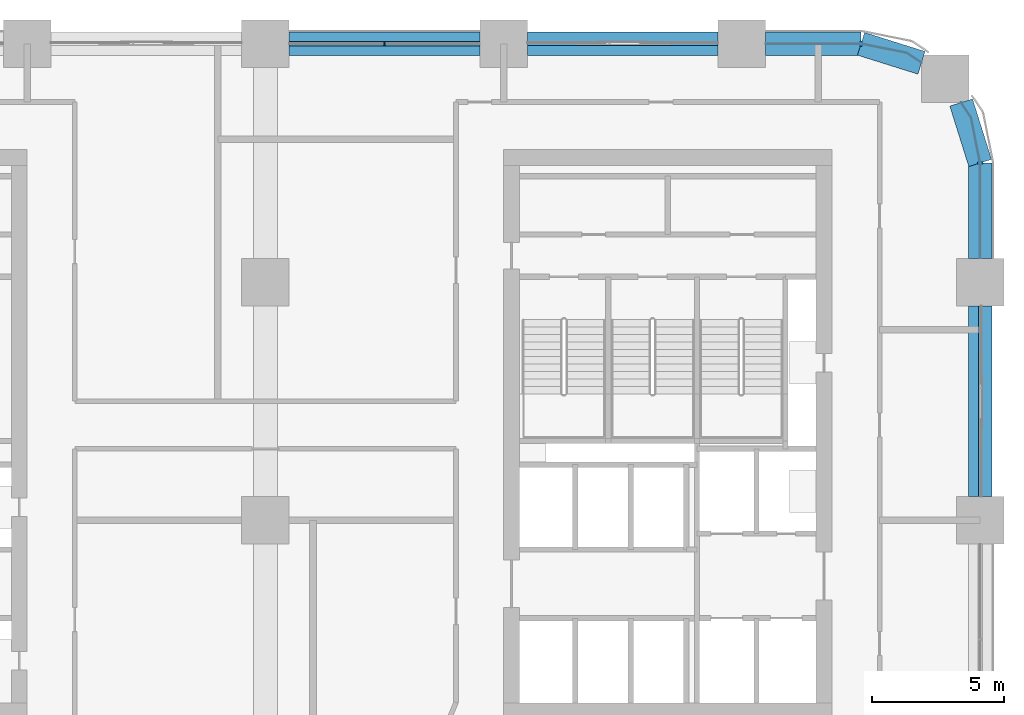
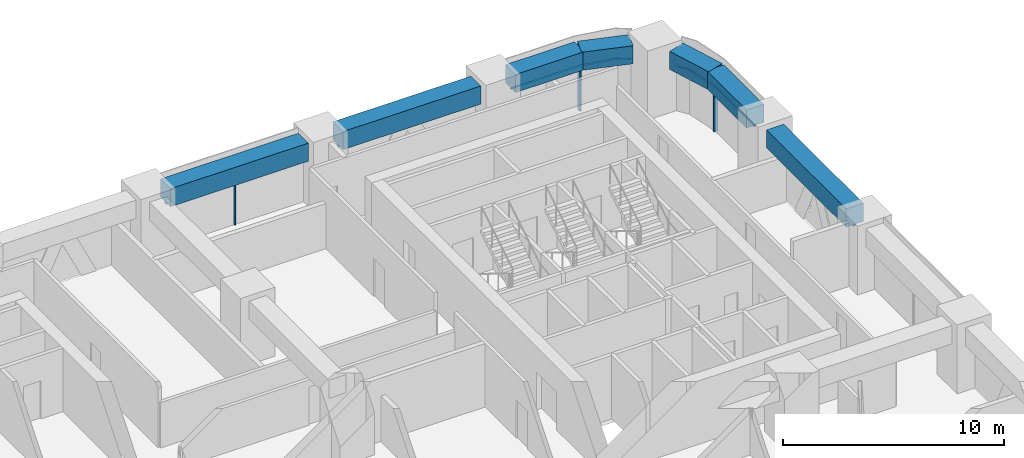
# One storey, part 9 of 24: 8 members, 7 beams, 5 elements without a shape of their own.
"""IFC4 building model written with IfcOpenShell, lengths in metres."""

from ifc_helpers import new_model, si_unit, direction, frame, origin, origin_2d, place, context, subcontext, project, spatial, polyline, rectangle, outline, extrude, material, material_profile, profile_set, type_object, element, aggregate, save


model = new_model("IFC4")

# Units and contexts
model_context = context("Model", 3, precision=1e-05, world=origin(), true_north=direction((0.0, 1.0)))
body_context = subcontext(model_context, "Body", "Model", "MODEL_VIEW")
ifc_project = project(units=[si_unit("LENGTHUNIT", "METRE"), si_unit("AREAUNIT", "SQUARE_METRE"), si_unit("VOLUMEUNIT", "CUBIC_METRE"), si_unit("PLANEANGLEUNIT", "RADIAN"), si_unit("MASSUNIT", "GRAM", prefix="KILO")], contexts=[model_context])

# Site, building, storey
site_placement = place(None, origin())
site = spatial("IfcSite", under=ifc_project, at=site_placement, CompositionType="ELEMENT")
building_placement = place(site_placement, origin())
building = spatial("IfcBuilding", under=site, at=building_placement, Name="Tessera Arch", CompositionType="ELEMENT")
storey_placement = place(building_placement, frame((0.0, 0.0, 112.0)))
storey = spatial("IfcBuildingStorey", under=building, at=storey_placement, Name="L26", CompositionType="ELEMENT", Elevation=112.0)

# Curtain wall, members
ifc_material_1 = material(Name="CW1 curtain wall")
curtain_wall_type_1 = type_object("IfcCurtainWallType", Name="CW1 curtain wall", PredefinedType="NOTDEFINED", material=ifc_material_1)
curtain_wall_1_placement = place(storey_placement, origin())
curtain_wall_1 = element("IfcCurtainWall", 1, at=curtain_wall_1_placement, inside=storey, type_object=curtain_wall_type_1, Name="CW1 curtain wall N54.0/1 L26", PredefinedType="NOTDEFINED")
ifc_material_2 = material(Name="Anodised aluminium pale metal", Category="aluminium")
ifc_material_profile_1 = material_profile(ifc_material_2, rectangle(XDim=0.159912109375, YDim=0.06005859375, at=origin_2d()), Name="AL 60x160")
ifc_profile_set_1 = profile_set([ifc_material_profile_1], Name="Anodised aluminium pale metal")
member_type_1 = type_object("IfcMemberType", Name="CW1 mullion", PredefinedType="MULLION", material=ifc_profile_set_1)
member_1_placement = place(storey_placement, frame((31.5, 54.0, 0.0), z_axis=(0.0, 0.0, 1.0), x_axis=(0.0, -1.0, 0.0)))
member_1 = element("IfcMember", 2, at=member_1_placement, type_object=member_type_1, Name="CW1 mullion N54.0/1 1", PredefinedType="MULLION", context=body_context, shape_type="SweptSolid", body=[
    extrude(rectangle(XDim=0.159912109375, YDim=0.06005859375, at=origin_2d()), origin(), (0.0, 0.0, 1.0), 2.39990234375),
])
ifc_material_3 = material(Name="Anodised aluminium pale metal", Category="aluminium")
ifc_material_profile_2 = material_profile(ifc_material_3, rectangle(XDim=0.159912109375, YDim=0.10009765625, at=origin_2d()), Name="AL 160x100")
ifc_profile_set_2 = profile_set([ifc_material_profile_2], Name="Anodised aluminium pale metal")
member_type_2 = type_object("IfcMemberType", Name="CW1 transom", PredefinedType="USERDEFINED", material=ifc_profile_set_2)
member_2_placement = place(storey_placement, frame((35.10009765625, 54.0, 2.449951171875), z_axis=(-1.0, 0.0, 0.0), x_axis=(0.0, -1.0, 0.0)))
member_2 = element("IfcMember", 3, at=member_2_placement, type_object=member_type_2, Name="CW1 transom N54.0/1 1.1", ObjectType="TRANSOM", PredefinedType="USERDEFINED", context=body_context, shape_type="SweptSolid", body=[
    extrude(rectangle(XDim=0.159912109375, YDim=0.10009765625, at=origin_2d()), origin(), (0.0, 0.0, 1.0), 7.2001953125),
])
aggregate(curtain_wall_1, [member_1, member_2])

# Curtain wall, member
ifc_material_4 = material(Name="CW2 curtain wall")
curtain_wall_type_2 = type_object("IfcCurtainWallType", Name="CW2 curtain wall", PredefinedType="NOTDEFINED", material=ifc_material_4)
curtain_wall_2_placement = place(storey_placement, origin())
curtain_wall_2 = element("IfcCurtainWall", 4, at=curtain_wall_2_placement, inside=storey, type_object=curtain_wall_type_2, Name="CW2 curtain wall E54.0/5 L26", PredefinedType="NOTDEFINED")
ifc_material_5 = material(Name="Anodised aluminium pale metal", Category="aluminium")
ifc_material_profile_3 = material_profile(ifc_material_5, rectangle(XDim=0.199951171875, YDim=0.080078125, at=origin_2d()), Name="AL 80x200")
ifc_profile_set_3 = profile_set([ifc_material_profile_3], Name="Anodised aluminium pale metal")
member_type_3 = type_object("IfcMemberType", Name="CW2 mullion", PredefinedType="MULLION", material=ifc_profile_set_3)
member_3_placement = place(storey_placement, frame((54.0, 49.5, 0.0), z_axis=(0.0, 0.0, 1.0), x_axis=(-1.0, 0.0, 0.0)))
member_3 = element("IfcMember", 5, at=member_3_placement, type_object=member_type_3, Name="CW2 mullion E54.0/5 1", PredefinedType="MULLION", context=body_context, shape_type="SweptSolid", body=[
    extrude(rectangle(XDim=0.199951171875, YDim=0.080078125, at=origin_2d()), origin(), (0.0, 0.0, 1.0), 2.39990234375),
])

curtain_wall_3_placement = place(storey_placement, origin())
curtain_wall_3 = element("IfcCurtainWall", 6, at=curtain_wall_3_placement, inside=storey, type_object=curtain_wall_type_2, Name="CW2 curtain wall N54.0/5 L26", PredefinedType="NOTDEFINED")
member_4_placement = place(storey_placement, frame((49.5, 54.0, 0.0), z_axis=(0.0, 0.0, 1.0), x_axis=(0.0, -1.0, 0.0)))
member_4 = element("IfcMember", 7, at=member_4_placement, type_object=member_type_3, Name="CW2 mullion N54.0/5 1", PredefinedType="MULLION", context=body_context, shape_type="SweptSolid", body=[
    extrude(rectangle(XDim=0.199951171875, YDim=0.080078125, at=origin_2d()), origin(), (0.0, 0.0, 1.0), 2.39990234375),
])

# Member
ifc_material_6 = material(Name="Anodised aluminium pale metal", Category="aluminium")
ifc_material_profile_4 = material_profile(ifc_material_6, rectangle(XDim=0.199951171875, YDim=0.10009765625, at=origin_2d()), Name="AL 200x100")
ifc_profile_set_4 = profile_set([ifc_material_profile_4], Name="Anodised aluminium pale metal")
member_type_4 = type_object("IfcMemberType", Name="CW2 transom", PredefinedType="USERDEFINED", material=ifc_profile_set_4)
member_5_placement = place(storey_placement, frame((0.0, 0.0, 2.39990234375)))
member_5 = element("IfcMember", 8, at=member_5_placement, type_object=member_type_4, Name="CW2 transom E54.0/5 1", ObjectType="TRANSOM", PredefinedType="USERDEFINED", context=body_context, shape_type="SweptSolid", body=[
    extrude(outline(polyline([(53.989990234375, 49.4990234375), (53.989990234375, 45.89990234375), (54.010009765625, 45.89990234375), (54.010009765625, 49.5009765625), (53.6669921875, 51.22607421875), (53.29150390625, 51.78759765625), (53.27490234375, 51.7763671875), (53.648193359375, 51.21826171875), (53.989990234375, 49.4990234375)])), origin(), (0.0, 0.0, 1.0), 0.10009765625),
])

aggregate(curtain_wall_2, [member_3, member_5])

member_6_placement = place(storey_placement, frame((0.0, 0.0, 2.39990234375)))
member_6 = element("IfcMember", 9, at=member_6_placement, type_object=member_type_4, Name="CW2 transom N54.0/5 1", ObjectType="TRANSOM", PredefinedType="USERDEFINED", context=body_context, shape_type="SweptSolid", body=[
    extrude(outline(polyline([(51.21826171875, 53.648193359375), (51.7763671875, 53.27490234375), (51.78759765625, 53.29150390625), (51.22607421875, 53.6669921875), (49.5009765625, 54.010009765625), (45.89990234375, 54.010009765625), (45.89990234375, 53.989990234375), (49.4990234375, 53.989990234375), (51.21826171875, 53.648193359375)])), origin(), (0.0, 0.0, 1.0), 0.10009765625),
])

aggregate(curtain_wall_3, [member_4, member_6])

# Curtain wall, member
ifc_material_7 = material(Name="CW3 curtain wall")
curtain_wall_type_3 = type_object("IfcCurtainWallType", Name="CW3 curtain wall", PredefinedType="NOTDEFINED", material=ifc_material_7)
curtain_wall_4_placement = place(storey_placement, origin())
curtain_wall_4 = element("IfcCurtainWall", 10, at=curtain_wall_4_placement, inside=storey, type_object=curtain_wall_type_3, Name="CW3 curtain wall N54.0/0 L26", PredefinedType="NOTDEFINED")
ifc_material_8 = material(Name="Anodised aluminium pale metal", Category="aluminium")
ifc_material_profile_5 = material_profile(ifc_material_8, rectangle(XDim=0.139892578125, YDim=0.10009765625, at=origin_2d()), Name="AL 140x100")
ifc_profile_set_5 = profile_set([ifc_material_profile_5], Name="Anodised aluminium pale metal")
member_type_5 = type_object("IfcMemberType", Name="CW3 transom", PredefinedType="USERDEFINED", material=ifc_profile_set_5)
member_7_placement = place(storey_placement, frame((44.10009765625, 54.0, 2.449951171875), z_axis=(-1.0, 0.0, 0.0), x_axis=(0.0, -1.0, 0.0)))
member_7 = element("IfcMember", 11, at=member_7_placement, type_object=member_type_5, Name="CW3 transom N54.0/0 1.1", ObjectType="TRANSOM", PredefinedType="USERDEFINED", context=body_context, shape_type="SweptSolid", body=[
    extrude(rectangle(XDim=0.139892578125, YDim=0.10009765625, at=origin_2d()), origin(), (0.0, 0.0, 1.0), 7.2001953125),
])
aggregate(curtain_wall_4, [member_7])

curtain_wall_5_placement = place(storey_placement, origin())
curtain_wall_5 = element("IfcCurtainWall", 12, at=curtain_wall_5_placement, inside=storey, type_object=curtain_wall_type_3, Name="CW3 curtain wall E54.0/4 L26", PredefinedType="NOTDEFINED")
member_8_placement = place(storey_placement, frame((54.0, 36.89990234375, 2.449951171875), z_axis=(0.0, 1.0, 0.0), x_axis=(-1.0, 0.0, 0.0)))
member_8 = element("IfcMember", 13, at=member_8_placement, type_object=member_type_5, Name="CW3 transom E54.0/4 1.1", ObjectType="TRANSOM", PredefinedType="USERDEFINED", context=body_context, shape_type="SweptSolid", body=[
    extrude(rectangle(XDim=0.139892578125, YDim=0.10009765625, at=origin_2d()), origin(), (0.0, 0.0, 1.0), 7.2001953125),
])
aggregate(curtain_wall_5, [member_8])

# Beams
ifc_material_9 = material(Name="Concrete C80/95", Category="concrete")
ifc_material_profile_6 = material_profile(ifc_material_9, rectangle(XDim=0.89990234375, YDim=1.0, at=origin_2d()), Name="RC spandrel beam 900 x 1000 Concrete C80/95")
ifc_profile_set_6 = profile_set([ifc_material_profile_6], Name="Concrete C80/95")
beam_type = type_object("IfcBeamType", Name="RC spandrel beam 900 x 1000 Concrete C80/95", PredefinedType="BEAM", material=ifc_profile_set_6)
for number, where, z_axis, x_axis, name in (
    (14, (44.10009765625, 54.0, 3.0), (-1.0, 0.0, 0.0), (0.0, -1.0, 0.0), "Spandrel beam L26 N54.0/0"),
    (15, (35.10009765625, 54.0, 3.0), (-1.0, 0.0, 0.0), (0.0, -1.0, 0.0), "Spandrel beam L26 N54.0/1"),
    (16, (54.0, 36.89990234375, 3.0), (0.0, 1.0, 0.0), (-1.0, 0.0, 0.0), "Spandrel beam L26 E54.0/4"),
):
    element("IfcBeam", number, at=place(storey_placement, frame(where, z_axis=z_axis, x_axis=x_axis)), inside=storey, type_object=beam_type, Name=name, PredefinedType="BEAM", context=body_context, shape_type="SweptSolid", body=[
        extrude(rectangle(XDim=0.89990234375, YDim=1.0, at=origin_2d()), origin(), (0.0, 0.0, 1.0), 7.2001953125),
    ])
beam_1_placement = place(storey_placement, frame((54.0, 45.89990234375, 3.0), z_axis=(0.0, 1.0, 0.0), x_axis=(-1.0, 0.0, 0.0)))
element("IfcBeam", 17, at=beam_1_placement, inside=storey, type_object=beam_type, Name="Spandrel beam L26 E54.0/5.1", PredefinedType="BEAM", context=body_context, shape_type="SweptSolid", body=[
    extrude(rectangle(XDim=0.89990234375, YDim=1.0, at=origin_2d()), origin(), (0.0, 0.0, 1.0), 3.60009765625),
])
for number, where, z_axis, x_axis, name in (
    (18, (54.0, 49.5, 3.0), (-0.299675309057, 0.954041251279, 0.0), (-0.954041251279, -0.299675309057, 0.0), "Spandrel beam L26 E54.0/5.2"),
    (19, (51.781982421875, 53.283203125, 3.0), (-0.954041251279, 0.299675309057, 0.0), (-0.299675309057, -0.954041251279, 0.0), "Spandrel beam L26 N54.0/5.1"),
):
    element("IfcBeam", number, at=place(storey_placement, frame(where, z_axis=z_axis, x_axis=x_axis)), inside=storey, type_object=beam_type, Name=name, PredefinedType="BEAM", context=body_context, shape_type="SweptSolid", body=[
        extrude(rectangle(XDim=0.89990234375, YDim=1.0, at=origin_2d()), origin(), (0.0, 0.0, 1.0), 2.391845703125),
    ])
beam_2_placement = place(storey_placement, frame((49.5, 54.0, 3.0), z_axis=(-1.0, 0.0, 0.0), x_axis=(0.0, -1.0, 0.0)))
element("IfcBeam", 20, at=beam_2_placement, inside=storey, type_object=beam_type, Name="Spandrel beam L26 N54.0/5.2", PredefinedType="BEAM", context=body_context, shape_type="SweptSolid", body=[
    extrude(rectangle(XDim=0.89990234375, YDim=1.0, at=origin_2d()), origin(), (0.0, 0.0, 1.0), 3.60009765625),
])

save(model, "model.ifc")
